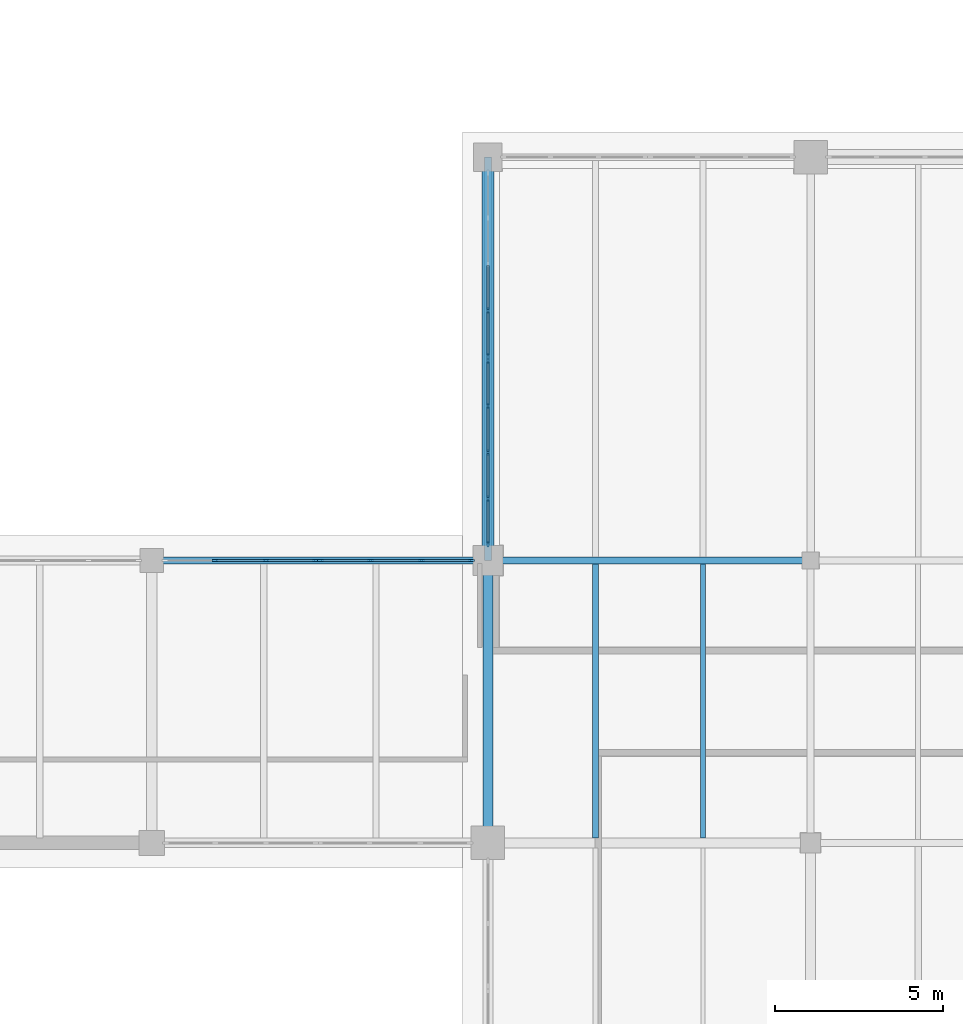
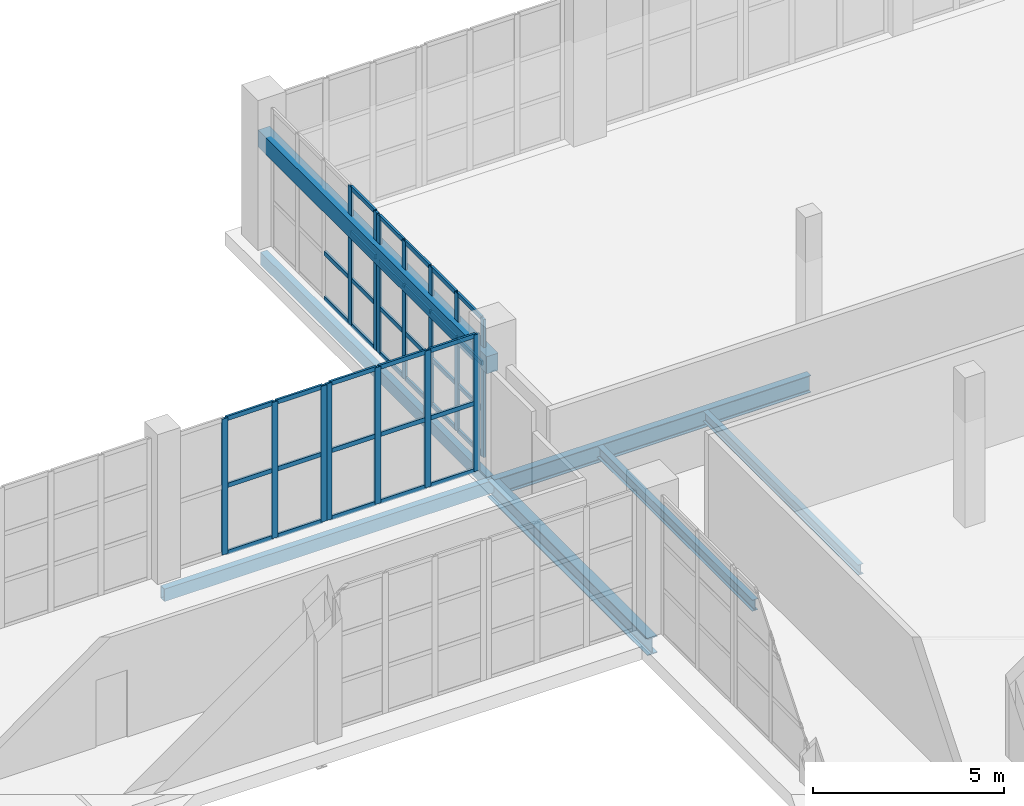
# One storey, part 22 of 121: 51 members, 7 beams, 4 elements without a shape of their own.
"""IFC4 building model written with IfcOpenShell, lengths in metres."""

from ifc_helpers import new_model, si_unit, direction, frame, origin, origin_2d, place, context, subcontext, project, spatial, rectangle, hollow_rectangle, i_section, extrude, material, layer, layer_set, material_profile, profile_set, type_object, element, aggregate, save


model = new_model("IFC4")

# Units and contexts
model_context = context("Model", 3, precision=1e-05, world=origin(), true_north=direction((0.0, 1.0)))
body_context = subcontext(model_context, "Body", "Model", "MODEL_VIEW")
ifc_project = project(units=[si_unit("LENGTHUNIT", "METRE"), si_unit("AREAUNIT", "SQUARE_METRE"), si_unit("VOLUMEUNIT", "CUBIC_METRE"), si_unit("PLANEANGLEUNIT", "RADIAN"), si_unit("MASSUNIT", "GRAM", prefix="KILO")], contexts=[model_context])

# Site, building, storey
site_placement = place(None, origin())
site = spatial("IfcSite", under=ifc_project, at=site_placement, CompositionType="ELEMENT")
building_placement = place(site_placement, origin())
building = spatial("IfcBuilding", under=site, at=building_placement, Name="Zereglee Splitstone Museum", CompositionType="ELEMENT")
storey_placement = place(building_placement, origin())
storey = spatial("IfcBuildingStorey", under=building, at=storey_placement, Name="L00", CompositionType="ELEMENT", Elevation=0.0)

# Curtain wall, members
ifc_material_1 = material(Name="Triple-glazed low-E argon glass and bronze-anodised aluminium", Category="aluminium")
ifc_layer_1 = layer(ifc_material_1, 0.179931640625)
ifc_layer_set_1 = layer_set([ifc_layer_1], Name="Triple-glazed low-E argon glass and bronze-anodised aluminium")
curtain_wall_type_1 = type_object("IfcCurtainWallType", Name="CW-0551-444", PredefinedType="USERDEFINED", material=ifc_layer_set_1)
curtain_wall_1_placement = place(storey_placement, origin())
curtain_wall_1 = element("IfcCurtainWall", 1, at=curtain_wall_1_placement, inside=storey, type_object=curtain_wall_type_1, Name="Glazed Curtain Wall CW-0551-444 (L00)", ObjectType="GLAZED CURTAIN WALL", PredefinedType="USERDEFINED")
ifc_material_2 = material(Name="Thermally broken bronze-anodised aluminium", Category="aluminium")
ifc_material_profile_1 = material_profile(ifc_material_2, rectangle(XDim=0.06494140625, YDim=0.179931640625, at=origin_2d()), Name="CW MULL 65x180")
ifc_profile_set_1 = profile_set([ifc_material_profile_1], Name="Thermally broken bronze-anodised aluminium")
member_type_1 = type_object("IfcMemberType", Name="CWM-01", PredefinedType="MULLION", material=ifc_profile_set_1)
member_1_placement = place(storey_placement, frame((78.0, 45.8310546875, 0.0), z_axis=(0.0, 0.0, 1.0), x_axis=(1.0, 0.0, 0.0)))
member_1 = element("IfcMember", 2, at=member_1_placement, type_object=member_type_1, Name="CW-0551-444 mullion 4", PredefinedType="MULLION", context=body_context, shape_type="SweptSolid", body=[
    extrude(rectangle(XDim=0.06494140625, YDim=0.179931640625, at=origin_2d()), origin(), (0.0, 0.0, 1.0), 4.43994140625),
])
member_2_placement = place(storey_placement, frame((78.0, 44.485107421875, 0.0), z_axis=(0.0, 0.0, 1.0), x_axis=(1.0, 0.0, 0.0)))
member_2 = element("IfcMember", 3, at=member_2_placement, type_object=member_type_1, Name="CW-0551-444 mullion 5", PredefinedType="MULLION", context=body_context, shape_type="SweptSolid", body=[
    extrude(rectangle(XDim=0.06494140625, YDim=0.179931640625, at=origin_2d()), origin(), (0.0, 0.0, 1.0), 4.43994140625),
])

ifc_layer_2 = layer(ifc_material_1, 0.179931640625)
ifc_layer_set_2 = layer_set([ifc_layer_2], Name="Triple-glazed low-E argon glass and bronze-anodised aluminium")
curtain_wall_type_2 = type_object("IfcCurtainWallType", Name="CW-0551-442", PredefinedType="USERDEFINED", material=ifc_layer_set_2)
curtain_wall_2_placement = place(storey_placement, origin())
curtain_wall_2 = element("IfcCurtainWall", 4, at=curtain_wall_2_placement, inside=storey, type_object=curtain_wall_type_2, Name="Glazed Curtain Wall CW-0551-442 (L00)", ObjectType="GLAZED CURTAIN WALL", PredefinedType="USERDEFINED")
member_3_placement = place(storey_placement, frame((78.0, 44.340087890625, 0.0), z_axis=(0.0, 0.0, 1.0), x_axis=(1.0, 0.0, 0.0)))
member_3 = element("IfcMember", 5, at=member_3_placement, type_object=member_type_1, Name="CW-0551-442 mullion 1", PredefinedType="MULLION", context=body_context, shape_type="SweptSolid", body=[
    extrude(rectangle(XDim=0.06494140625, YDim=0.179931640625, at=origin_2d()), origin(), (0.0, 0.0, 1.0), 4.419921875),
])
member_4_placement = place(storey_placement, frame((78.0, 42.993896484375, 0.0), z_axis=(0.0, 0.0, 1.0), x_axis=(1.0, 0.0, 0.0)))
member_4 = element("IfcMember", 6, at=member_4_placement, type_object=member_type_1, Name="CW-0551-442 mullion 2", PredefinedType="MULLION", context=body_context, shape_type="SweptSolid", body=[
    extrude(rectangle(XDim=0.06494140625, YDim=0.179931640625, at=origin_2d()), origin(), (0.0, 0.0, 1.0), 4.419921875),
])
member_5_placement = place(storey_placement, frame((78.0, 41.615234375, 0.0), z_axis=(0.0, 0.0, 1.0), x_axis=(1.0, 0.0, 0.0)))
member_5 = element("IfcMember", 7, at=member_5_placement, type_object=member_type_1, Name="CW-0551-442 mullion 3", PredefinedType="MULLION", context=body_context, shape_type="SweptSolid", body=[
    extrude(rectangle(XDim=0.06494140625, YDim=0.179931640625, at=origin_2d()), origin(), (0.0, 0.0, 1.0), 4.419921875),
])
member_6_placement = place(storey_placement, frame((78.0, 40.236572265625, 0.0), z_axis=(0.0, 0.0, 1.0), x_axis=(1.0, 0.0, 0.0)))
member_6 = element("IfcMember", 8, at=member_6_placement, type_object=member_type_1, Name="CW-0551-442 mullion 4", PredefinedType="MULLION", context=body_context, shape_type="SweptSolid", body=[
    extrude(rectangle(XDim=0.06494140625, YDim=0.179931640625, at=origin_2d()), origin(), (0.0, 0.0, 1.0), 4.419921875),
])
member_7_placement = place(storey_placement, frame((78.0, 38.890380859375, 0.0), z_axis=(0.0, 0.0, 1.0), x_axis=(1.0, 0.0, 0.0)))
member_7 = element("IfcMember", 9, at=member_7_placement, type_object=member_type_1, Name="CW-0551-442 mullion 5", PredefinedType="MULLION", context=body_context, shape_type="SweptSolid", body=[
    extrude(rectangle(XDim=0.06494140625, YDim=0.179931640625, at=origin_2d()), origin(), (0.0, 0.0, 1.0), 4.419921875),
])

ifc_layer_3 = layer(ifc_material_1, 0.179931640625)
ifc_layer_set_3 = layer_set([ifc_layer_3], Name="Triple-glazed low-E argon glass and bronze-anodised aluminium")
curtain_wall_type_3 = type_object("IfcCurtainWallType", Name="CW-0455-438", PredefinedType="USERDEFINED", material=ifc_layer_set_3)
curtain_wall_3_placement = place(storey_placement, origin())
curtain_wall_3 = element("IfcCurtainWall", 10, at=curtain_wall_3_placement, inside=storey, type_object=curtain_wall_type_3, Name="Glazed Curtain Wall CW-0455-438 (L00)", ObjectType="GLAZED CURTAIN WALL", PredefinedType="USERDEFINED")
member_8_placement = place(storey_placement, frame((77.509521484375, 38.39990234375, 0.0), z_axis=(0.0, 0.0, 1.0), x_axis=(0.0, -1.0, 0.0)))
member_8 = element("IfcMember", 11, at=member_8_placement, type_object=member_type_1, Name="CW-0455-438 mullion 1", PredefinedType="MULLION", context=body_context, shape_type="SweptSolid", body=[
    extrude(rectangle(XDim=0.06494140625, YDim=0.179931640625, at=origin_2d()), origin(), (0.0, 0.0, 1.0), 4.3798828125),
])
member_9_placement = place(storey_placement, frame((76.024658203125, 38.39990234375, 0.0), z_axis=(0.0, 0.0, 1.0), x_axis=(0.0, -1.0, 0.0)))
member_9 = element("IfcMember", 12, at=member_9_placement, type_object=member_type_1, Name="CW-0455-438 mullion 2", PredefinedType="MULLION", context=body_context, shape_type="SweptSolid", body=[
    extrude(rectangle(XDim=0.06494140625, YDim=0.179931640625, at=origin_2d()), origin(), (0.0, 0.0, 1.0), 4.3798828125),
])
member_10_placement = place(storey_placement, frame((74.50732421875, 38.39990234375, 0.0), z_axis=(0.0, 0.0, 1.0), x_axis=(0.0, -1.0, 0.0)))
member_10 = element("IfcMember", 13, at=member_10_placement, type_object=member_type_1, Name="CW-0455-438 mullion 3", PredefinedType="MULLION", context=body_context, shape_type="SweptSolid", body=[
    extrude(rectangle(XDim=0.06494140625, YDim=0.179931640625, at=origin_2d()), origin(), (0.0, 0.0, 1.0), 4.3798828125),
])
member_11_placement = place(storey_placement, frame((73.0224609375, 38.39990234375, 0.0), z_axis=(0.0, 0.0, 1.0), x_axis=(0.0, -1.0, 0.0)))
member_11 = element("IfcMember", 14, at=member_11_placement, type_object=member_type_1, Name="CW-0455-438 mullion 4", PredefinedType="MULLION", context=body_context, shape_type="SweptSolid", body=[
    extrude(rectangle(XDim=0.06494140625, YDim=0.179931640625, at=origin_2d()), origin(), (0.0, 0.0, 1.0), 4.3798828125),
])

ifc_layer_4 = layer(ifc_material_1, 0.179931640625)
ifc_layer_set_4 = layer_set([ifc_layer_4], Name="Triple-glazed low-E argon glass and bronze-anodised aluminium")
curtain_wall_type_4 = type_object("IfcCurtainWallType", Name="CW-0455-436", PredefinedType="USERDEFINED", material=ifc_layer_set_4)
curtain_wall_4_placement = place(storey_placement, origin())
curtain_wall_4 = element("IfcCurtainWall", 15, at=curtain_wall_4_placement, inside=storey, type_object=curtain_wall_type_4, Name="Glazed Curtain Wall CW-0455-436 (L00)", ObjectType="GLAZED CURTAIN WALL", PredefinedType="USERDEFINED")
member_12_placement = place(storey_placement, frame((72.87744140625, 38.39990234375, 0.0), z_axis=(0.0, 0.0, 1.0), x_axis=(0.0, -1.0, 0.0)))
member_12 = element("IfcMember", 16, at=member_12_placement, type_object=member_type_1, Name="CW-0455-436 mullion 1", PredefinedType="MULLION", context=body_context, shape_type="SweptSolid", body=[
    extrude(rectangle(XDim=0.06494140625, YDim=0.179931640625, at=origin_2d()), origin(), (0.0, 0.0, 1.0), 4.360107421875),
])
member_13_placement = place(storey_placement, frame((71.392578125, 38.39990234375, 0.0), z_axis=(0.0, 0.0, 1.0), x_axis=(0.0, -1.0, 0.0)))
member_13 = element("IfcMember", 17, at=member_13_placement, type_object=member_type_1, Name="CW-0455-436 mullion 2", PredefinedType="MULLION", context=body_context, shape_type="SweptSolid", body=[
    extrude(rectangle(XDim=0.06494140625, YDim=0.179931640625, at=origin_2d()), origin(), (0.0, 0.0, 1.0), 4.360107421875),
])
member_14_placement = place(storey_placement, frame((69.875244140625, 38.39990234375, 0.0), z_axis=(0.0, 0.0, 1.0), x_axis=(0.0, -1.0, 0.0)))
member_14 = element("IfcMember", 18, at=member_14_placement, type_object=member_type_1, Name="CW-0455-436 mullion 3", PredefinedType="MULLION", context=body_context, shape_type="SweptSolid", body=[
    extrude(rectangle(XDim=0.06494140625, YDim=0.179931640625, at=origin_2d()), origin(), (0.0, 0.0, 1.0), 4.360107421875),
])

# Member
ifc_material_profile_2 = material_profile(ifc_material_2, rectangle(XDim=0.06494140625, YDim=0.139892578125, at=origin_2d()), Name="CW TRAN 65x140")
ifc_profile_set_2 = profile_set([ifc_material_profile_2], Name="Thermally broken bronze-anodised aluminium")
member_type_2 = type_object("IfcMemberType", Name="CWT-01", PredefinedType="USERDEFINED", material=ifc_profile_set_2)
member_15_placement = place(storey_placement, frame((78.0, 47.17724609375, 0.032470703125), z_axis=(0.0, -1.0, 0.0), x_axis=(1.0, 0.0, 0.0)))
member_15 = element("IfcMember", 19, at=member_15_placement, type_object=member_type_2, Name="CW-0551-444 transom 3.1", ObjectType="TRANSOM", PredefinedType="USERDEFINED", context=body_context, shape_type="SweptSolid", body=[
    extrude(rectangle(XDim=0.06494140625, YDim=0.139892578125, at=origin_2d()), origin(), (0.0, 0.0, 1.0), 1.313720703125),
])

member_16_placement = place(storey_placement, frame((78.0, 47.17724609375, 1.47998046875), z_axis=(0.0, -1.0, 0.0), x_axis=(1.0, 0.0, 0.0)))
member_16 = element("IfcMember", 20, at=member_16_placement, type_object=member_type_2, Name="CW-0551-444 transom 3.2", ObjectType="TRANSOM", PredefinedType="USERDEFINED", context=body_context, shape_type="SweptSolid", body=[
    extrude(rectangle(XDim=0.06494140625, YDim=0.139892578125, at=origin_2d()), origin(), (0.0, 0.0, 1.0), 1.313720703125),
])

member_17_placement = place(storey_placement, frame((78.0, 45.798583984375, 0.032470703125), z_axis=(0.0, -1.0, 0.0), x_axis=(1.0, 0.0, 0.0)))
member_17 = element("IfcMember", 21, at=member_17_placement, type_object=member_type_2, Name="CW-0551-444 transom 4.1", ObjectType="TRANSOM", PredefinedType="USERDEFINED", context=body_context, shape_type="SweptSolid", body=[
    extrude(rectangle(XDim=0.06494140625, YDim=0.139892578125, at=origin_2d()), origin(), (0.0, 0.0, 1.0), 1.281005859375),
])

member_18_placement = place(storey_placement, frame((78.0, 45.798583984375, 1.47998046875), z_axis=(0.0, -1.0, 0.0), x_axis=(1.0, 0.0, 0.0)))
member_18 = element("IfcMember", 22, at=member_18_placement, type_object=member_type_2, Name="CW-0551-444 transom 4.2", ObjectType="TRANSOM", PredefinedType="USERDEFINED", context=body_context, shape_type="SweptSolid", body=[
    extrude(rectangle(XDim=0.06494140625, YDim=0.139892578125, at=origin_2d()), origin(), (0.0, 0.0, 1.0), 1.281005859375),
])

member_19_placement = place(storey_placement, frame((78.0, 45.798583984375, 2.9599609375), z_axis=(0.0, -1.0, 0.0), x_axis=(1.0, 0.0, 0.0)))
member_19 = element("IfcMember", 23, at=member_19_placement, type_object=member_type_2, Name="CW-0551-444 transom 4.3", ObjectType="TRANSOM", PredefinedType="USERDEFINED", context=body_context, shape_type="SweptSolid", body=[
    extrude(rectangle(XDim=0.06494140625, YDim=0.139892578125, at=origin_2d()), origin(), (0.0, 0.0, 1.0), 1.281005859375),
])

member_20_placement = place(storey_placement, frame((78.0, 45.798583984375, 4.407470703125), z_axis=(0.0, -1.0, 0.0), x_axis=(1.0, 0.0, 0.0)))
member_20 = element("IfcMember", 24, at=member_20_placement, type_object=member_type_2, Name="CW-0551-444 transom 4.4", ObjectType="TRANSOM", PredefinedType="USERDEFINED", context=body_context, shape_type="SweptSolid", body=[
    extrude(rectangle(XDim=0.06494140625, YDim=0.139892578125, at=origin_2d()), origin(), (0.0, 0.0, 1.0), 1.281005859375),
])

aggregate(curtain_wall_1, [member_1, member_2, member_15, member_16, member_17, member_18, member_19, member_20])

member_21_placement = place(storey_placement, frame((78.0, 44.3076171875, 0.032470703125), z_axis=(0.0, -1.0, 0.0), x_axis=(1.0, 0.0, 0.0)))
member_21 = element("IfcMember", 25, at=member_21_placement, type_object=member_type_2, Name="CW-0551-442 transom 1.1", ObjectType="TRANSOM", PredefinedType="USERDEFINED", context=body_context, shape_type="SweptSolid", body=[
    extrude(rectangle(XDim=0.06494140625, YDim=0.139892578125, at=origin_2d()), origin(), (0.0, 0.0, 1.0), 1.28125),
])

member_22_placement = place(storey_placement, frame((78.0, 44.3076171875, 1.473388671875), z_axis=(0.0, -1.0, 0.0), x_axis=(1.0, 0.0, 0.0)))
member_22 = element("IfcMember", 26, at=member_22_placement, type_object=member_type_2, Name="CW-0551-442 transom 1.2", ObjectType="TRANSOM", PredefinedType="USERDEFINED", context=body_context, shape_type="SweptSolid", body=[
    extrude(rectangle(XDim=0.06494140625, YDim=0.139892578125, at=origin_2d()), origin(), (0.0, 0.0, 1.0), 1.28125),
])

member_23_placement = place(storey_placement, frame((78.0, 44.3076171875, 2.94677734375), z_axis=(0.0, -1.0, 0.0), x_axis=(1.0, 0.0, 0.0)))
member_23 = element("IfcMember", 27, at=member_23_placement, type_object=member_type_2, Name="CW-0551-442 transom 1.3", ObjectType="TRANSOM", PredefinedType="USERDEFINED", context=body_context, shape_type="SweptSolid", body=[
    extrude(rectangle(XDim=0.06494140625, YDim=0.139892578125, at=origin_2d()), origin(), (0.0, 0.0, 1.0), 1.28125),
])

member_24_placement = place(storey_placement, frame((78.0, 44.3076171875, 4.387451171875), z_axis=(0.0, -1.0, 0.0), x_axis=(1.0, 0.0, 0.0)))
member_24 = element("IfcMember", 28, at=member_24_placement, type_object=member_type_2, Name="CW-0551-442 transom 1.4", ObjectType="TRANSOM", PredefinedType="USERDEFINED", context=body_context, shape_type="SweptSolid", body=[
    extrude(rectangle(XDim=0.06494140625, YDim=0.139892578125, at=origin_2d()), origin(), (0.0, 0.0, 1.0), 1.28125),
])

member_25_placement = place(storey_placement, frame((78.0, 42.96142578125, 0.032470703125), z_axis=(0.0, -1.0, 0.0), x_axis=(1.0, 0.0, 0.0)))
member_25 = element("IfcMember", 29, at=member_25_placement, type_object=member_type_2, Name="CW-0551-442 transom 2.1", ObjectType="TRANSOM", PredefinedType="USERDEFINED", context=body_context, shape_type="SweptSolid", body=[
    extrude(rectangle(XDim=0.06494140625, YDim=0.139892578125, at=origin_2d()), origin(), (0.0, 0.0, 1.0), 1.313720703125),
])

member_26_placement = place(storey_placement, frame((78.0, 42.96142578125, 1.473388671875), z_axis=(0.0, -1.0, 0.0), x_axis=(1.0, 0.0, 0.0)))
member_26 = element("IfcMember", 30, at=member_26_placement, type_object=member_type_2, Name="CW-0551-442 transom 2.2", ObjectType="TRANSOM", PredefinedType="USERDEFINED", context=body_context, shape_type="SweptSolid", body=[
    extrude(rectangle(XDim=0.06494140625, YDim=0.139892578125, at=origin_2d()), origin(), (0.0, 0.0, 1.0), 1.313720703125),
])

member_27_placement = place(storey_placement, frame((78.0, 42.96142578125, 2.94677734375), z_axis=(0.0, -1.0, 0.0), x_axis=(1.0, 0.0, 0.0)))
member_27 = element("IfcMember", 31, at=member_27_placement, type_object=member_type_2, Name="CW-0551-442 transom 2.3", ObjectType="TRANSOM", PredefinedType="USERDEFINED", context=body_context, shape_type="SweptSolid", body=[
    extrude(rectangle(XDim=0.06494140625, YDim=0.139892578125, at=origin_2d()), origin(), (0.0, 0.0, 1.0), 1.313720703125),
])

member_28_placement = place(storey_placement, frame((78.0, 42.96142578125, 4.387451171875), z_axis=(0.0, -1.0, 0.0), x_axis=(1.0, 0.0, 0.0)))
member_28 = element("IfcMember", 32, at=member_28_placement, type_object=member_type_2, Name="CW-0551-442 transom 2.4", ObjectType="TRANSOM", PredefinedType="USERDEFINED", context=body_context, shape_type="SweptSolid", body=[
    extrude(rectangle(XDim=0.06494140625, YDim=0.139892578125, at=origin_2d()), origin(), (0.0, 0.0, 1.0), 1.313720703125),
])

member_29_placement = place(storey_placement, frame((78.0, 41.582763671875, 0.032470703125), z_axis=(0.0, -1.0, 0.0), x_axis=(1.0, 0.0, 0.0)))
member_29 = element("IfcMember", 33, at=member_29_placement, type_object=member_type_2, Name="CW-0551-442 transom 3.1", ObjectType="TRANSOM", PredefinedType="USERDEFINED", context=body_context, shape_type="SweptSolid", body=[
    extrude(rectangle(XDim=0.06494140625, YDim=0.139892578125, at=origin_2d()), origin(), (0.0, 0.0, 1.0), 1.313720703125),
])

member_30_placement = place(storey_placement, frame((78.0, 41.582763671875, 1.473388671875), z_axis=(0.0, -1.0, 0.0), x_axis=(1.0, 0.0, 0.0)))
member_30 = element("IfcMember", 34, at=member_30_placement, type_object=member_type_2, Name="CW-0551-442 transom 3.2", ObjectType="TRANSOM", PredefinedType="USERDEFINED", context=body_context, shape_type="SweptSolid", body=[
    extrude(rectangle(XDim=0.06494140625, YDim=0.139892578125, at=origin_2d()), origin(), (0.0, 0.0, 1.0), 1.313720703125),
])

member_31_placement = place(storey_placement, frame((78.0, 41.582763671875, 2.94677734375), z_axis=(0.0, -1.0, 0.0), x_axis=(1.0, 0.0, 0.0)))
member_31 = element("IfcMember", 35, at=member_31_placement, type_object=member_type_2, Name="CW-0551-442 transom 3.3", ObjectType="TRANSOM", PredefinedType="USERDEFINED", context=body_context, shape_type="SweptSolid", body=[
    extrude(rectangle(XDim=0.06494140625, YDim=0.139892578125, at=origin_2d()), origin(), (0.0, 0.0, 1.0), 1.313720703125),
])

member_32_placement = place(storey_placement, frame((78.0, 41.582763671875, 4.387451171875), z_axis=(0.0, -1.0, 0.0), x_axis=(1.0, 0.0, 0.0)))
member_32 = element("IfcMember", 36, at=member_32_placement, type_object=member_type_2, Name="CW-0551-442 transom 3.4", ObjectType="TRANSOM", PredefinedType="USERDEFINED", context=body_context, shape_type="SweptSolid", body=[
    extrude(rectangle(XDim=0.06494140625, YDim=0.139892578125, at=origin_2d()), origin(), (0.0, 0.0, 1.0), 1.313720703125),
])

member_33_placement = place(storey_placement, frame((78.0, 40.2041015625, 0.032470703125), z_axis=(0.0, -1.0, 0.0), x_axis=(1.0, 0.0, 0.0)))
member_33 = element("IfcMember", 37, at=member_33_placement, type_object=member_type_2, Name="CW-0551-442 transom 4.1", ObjectType="TRANSOM", PredefinedType="USERDEFINED", context=body_context, shape_type="SweptSolid", body=[
    extrude(rectangle(XDim=0.06494140625, YDim=0.139892578125, at=origin_2d()), origin(), (0.0, 0.0, 1.0), 1.281005859375),
])

member_34_placement = place(storey_placement, frame((78.0, 40.2041015625, 1.473388671875), z_axis=(0.0, -1.0, 0.0), x_axis=(1.0, 0.0, 0.0)))
member_34 = element("IfcMember", 38, at=member_34_placement, type_object=member_type_2, Name="CW-0551-442 transom 4.2", ObjectType="TRANSOM", PredefinedType="USERDEFINED", context=body_context, shape_type="SweptSolid", body=[
    extrude(rectangle(XDim=0.06494140625, YDim=0.139892578125, at=origin_2d()), origin(), (0.0, 0.0, 1.0), 1.281005859375),
])

member_35_placement = place(storey_placement, frame((78.0, 40.2041015625, 2.94677734375), z_axis=(0.0, -1.0, 0.0), x_axis=(1.0, 0.0, 0.0)))
member_35 = element("IfcMember", 39, at=member_35_placement, type_object=member_type_2, Name="CW-0551-442 transom 4.3", ObjectType="TRANSOM", PredefinedType="USERDEFINED", context=body_context, shape_type="SweptSolid", body=[
    extrude(rectangle(XDim=0.06494140625, YDim=0.139892578125, at=origin_2d()), origin(), (0.0, 0.0, 1.0), 1.281005859375),
])

member_36_placement = place(storey_placement, frame((78.0, 40.2041015625, 4.387451171875), z_axis=(0.0, -1.0, 0.0), x_axis=(1.0, 0.0, 0.0)))
member_36 = element("IfcMember", 40, at=member_36_placement, type_object=member_type_2, Name="CW-0551-442 transom 4.4", ObjectType="TRANSOM", PredefinedType="USERDEFINED", context=body_context, shape_type="SweptSolid", body=[
    extrude(rectangle(XDim=0.06494140625, YDim=0.139892578125, at=origin_2d()), origin(), (0.0, 0.0, 1.0), 1.281005859375),
])

aggregate(curtain_wall_2, [member_3, member_4, member_5, member_6, member_7, member_21, member_22, member_23, member_24, member_25, member_26, member_27, member_28, member_29, member_30, member_31, member_32, member_33, member_34, member_35, member_36])

member_37_placement = place(storey_placement, frame((77.47705078125, 38.39990234375, 0.032470703125), z_axis=(-1.0, 0.0, 0.0), x_axis=(0.0, -1.0, 0.0)))
member_37 = element("IfcMember", 41, at=member_37_placement, type_object=member_type_2, Name="CW-0455-438 transom 1.1", ObjectType="TRANSOM", PredefinedType="USERDEFINED", context=body_context, shape_type="SweptSolid", body=[
    extrude(rectangle(XDim=0.06494140625, YDim=0.139892578125, at=origin_2d()), origin(), (0.0, 0.0, 1.0), 1.419921875),
])

member_38_placement = place(storey_placement, frame((77.47705078125, 38.39990234375, 2.18994140625), z_axis=(-1.0, 0.0, 0.0), x_axis=(0.0, -1.0, 0.0)))
member_38 = element("IfcMember", 42, at=member_38_placement, type_object=member_type_2, Name="CW-0455-438 transom 1.2", ObjectType="TRANSOM", PredefinedType="USERDEFINED", context=body_context, shape_type="SweptSolid", body=[
    extrude(rectangle(XDim=0.06494140625, YDim=0.139892578125, at=origin_2d()), origin(), (0.0, 0.0, 1.0), 1.419921875),
])

member_39_placement = place(storey_placement, frame((77.47705078125, 38.39990234375, 4.347412109375), z_axis=(-1.0, 0.0, 0.0), x_axis=(0.0, -1.0, 0.0)))
member_39 = element("IfcMember", 43, at=member_39_placement, type_object=member_type_2, Name="CW-0455-438 transom 1.3", ObjectType="TRANSOM", PredefinedType="USERDEFINED", context=body_context, shape_type="SweptSolid", body=[
    extrude(rectangle(XDim=0.06494140625, YDim=0.139892578125, at=origin_2d()), origin(), (0.0, 0.0, 1.0), 1.419921875),
])

member_40_placement = place(storey_placement, frame((75.9921875, 38.39990234375, 0.032470703125), z_axis=(-1.0, 0.0, 0.0), x_axis=(0.0, -1.0, 0.0)))
member_40 = element("IfcMember", 44, at=member_40_placement, type_object=member_type_2, Name="CW-0455-438 transom 2.1", ObjectType="TRANSOM", PredefinedType="USERDEFINED", context=body_context, shape_type="SweptSolid", body=[
    extrude(rectangle(XDim=0.06494140625, YDim=0.139892578125, at=origin_2d()), origin(), (0.0, 0.0, 1.0), 1.452392578125),
])

member_41_placement = place(storey_placement, frame((75.9921875, 38.39990234375, 2.18994140625), z_axis=(-1.0, 0.0, 0.0), x_axis=(0.0, -1.0, 0.0)))
member_41 = element("IfcMember", 45, at=member_41_placement, type_object=member_type_2, Name="CW-0455-438 transom 2.2", ObjectType="TRANSOM", PredefinedType="USERDEFINED", context=body_context, shape_type="SweptSolid", body=[
    extrude(rectangle(XDim=0.06494140625, YDim=0.139892578125, at=origin_2d()), origin(), (0.0, 0.0, 1.0), 1.452392578125),
])

member_42_placement = place(storey_placement, frame((75.9921875, 38.39990234375, 4.347412109375), z_axis=(-1.0, 0.0, 0.0), x_axis=(0.0, -1.0, 0.0)))
member_42 = element("IfcMember", 46, at=member_42_placement, type_object=member_type_2, Name="CW-0455-438 transom 2.3", ObjectType="TRANSOM", PredefinedType="USERDEFINED", context=body_context, shape_type="SweptSolid", body=[
    extrude(rectangle(XDim=0.06494140625, YDim=0.139892578125, at=origin_2d()), origin(), (0.0, 0.0, 1.0), 1.452392578125),
])

member_43_placement = place(storey_placement, frame((74.474853515625, 38.39990234375, 0.032470703125), z_axis=(-1.0, 0.0, 0.0), x_axis=(0.0, -1.0, 0.0)))
member_43 = element("IfcMember", 47, at=member_43_placement, type_object=member_type_2, Name="CW-0455-438 transom 3.1", ObjectType="TRANSOM", PredefinedType="USERDEFINED", context=body_context, shape_type="SweptSolid", body=[
    extrude(rectangle(XDim=0.06494140625, YDim=0.139892578125, at=origin_2d()), origin(), (0.0, 0.0, 1.0), 1.419921875),
])

member_44_placement = place(storey_placement, frame((74.474853515625, 38.39990234375, 2.18994140625), z_axis=(-1.0, 0.0, 0.0), x_axis=(0.0, -1.0, 0.0)))
member_44 = element("IfcMember", 48, at=member_44_placement, type_object=member_type_2, Name="CW-0455-438 transom 3.2", ObjectType="TRANSOM", PredefinedType="USERDEFINED", context=body_context, shape_type="SweptSolid", body=[
    extrude(rectangle(XDim=0.06494140625, YDim=0.139892578125, at=origin_2d()), origin(), (0.0, 0.0, 1.0), 1.419921875),
])

member_45_placement = place(storey_placement, frame((74.474853515625, 38.39990234375, 4.347412109375), z_axis=(-1.0, 0.0, 0.0), x_axis=(0.0, -1.0, 0.0)))
member_45 = element("IfcMember", 49, at=member_45_placement, type_object=member_type_2, Name="CW-0455-438 transom 3.3", ObjectType="TRANSOM", PredefinedType="USERDEFINED", context=body_context, shape_type="SweptSolid", body=[
    extrude(rectangle(XDim=0.06494140625, YDim=0.139892578125, at=origin_2d()), origin(), (0.0, 0.0, 1.0), 1.419921875),
])

aggregate(curtain_wall_3, [member_8, member_9, member_10, member_11, member_37, member_38, member_39, member_40, member_41, member_42, member_43, member_44, member_45])

member_46_placement = place(storey_placement, frame((72.844970703125, 38.39990234375, 0.032470703125), z_axis=(-1.0, 0.0, 0.0), x_axis=(0.0, -1.0, 0.0)))
member_46 = element("IfcMember", 50, at=member_46_placement, type_object=member_type_2, Name="CW-0455-436 transom 1.1", ObjectType="TRANSOM", PredefinedType="USERDEFINED", context=body_context, shape_type="SweptSolid", body=[
    extrude(rectangle(XDim=0.06494140625, YDim=0.139892578125, at=origin_2d()), origin(), (0.0, 0.0, 1.0), 1.419921875),
])

member_47_placement = place(storey_placement, frame((72.844970703125, 38.39990234375, 2.179931640625), z_axis=(-1.0, 0.0, 0.0), x_axis=(0.0, -1.0, 0.0)))
member_47 = element("IfcMember", 51, at=member_47_placement, type_object=member_type_2, Name="CW-0455-436 transom 1.2", ObjectType="TRANSOM", PredefinedType="USERDEFINED", context=body_context, shape_type="SweptSolid", body=[
    extrude(rectangle(XDim=0.06494140625, YDim=0.139892578125, at=origin_2d()), origin(), (0.0, 0.0, 1.0), 1.419921875),
])

member_48_placement = place(storey_placement, frame((72.844970703125, 38.39990234375, 4.327392578125), z_axis=(-1.0, 0.0, 0.0), x_axis=(0.0, -1.0, 0.0)))
member_48 = element("IfcMember", 52, at=member_48_placement, type_object=member_type_2, Name="CW-0455-436 transom 1.3", ObjectType="TRANSOM", PredefinedType="USERDEFINED", context=body_context, shape_type="SweptSolid", body=[
    extrude(rectangle(XDim=0.06494140625, YDim=0.139892578125, at=origin_2d()), origin(), (0.0, 0.0, 1.0), 1.419921875),
])

member_49_placement = place(storey_placement, frame((71.360107421875, 38.39990234375, 0.032470703125), z_axis=(-1.0, 0.0, 0.0), x_axis=(0.0, -1.0, 0.0)))
member_49 = element("IfcMember", 53, at=member_49_placement, type_object=member_type_2, Name="CW-0455-436 transom 2.1", ObjectType="TRANSOM", PredefinedType="USERDEFINED", context=body_context, shape_type="SweptSolid", body=[
    extrude(rectangle(XDim=0.06494140625, YDim=0.139892578125, at=origin_2d()), origin(), (0.0, 0.0, 1.0), 1.452392578125),
])

member_50_placement = place(storey_placement, frame((71.360107421875, 38.39990234375, 2.179931640625), z_axis=(-1.0, 0.0, 0.0), x_axis=(0.0, -1.0, 0.0)))
member_50 = element("IfcMember", 54, at=member_50_placement, type_object=member_type_2, Name="CW-0455-436 transom 2.2", ObjectType="TRANSOM", PredefinedType="USERDEFINED", context=body_context, shape_type="SweptSolid", body=[
    extrude(rectangle(XDim=0.06494140625, YDim=0.139892578125, at=origin_2d()), origin(), (0.0, 0.0, 1.0), 1.452392578125),
])

member_51_placement = place(storey_placement, frame((71.360107421875, 38.39990234375, 4.327392578125), z_axis=(-1.0, 0.0, 0.0), x_axis=(0.0, -1.0, 0.0)))
member_51 = element("IfcMember", 55, at=member_51_placement, type_object=member_type_2, Name="CW-0455-436 transom 2.3", ObjectType="TRANSOM", PredefinedType="USERDEFINED", context=body_context, shape_type="SweptSolid", body=[
    extrude(rectangle(XDim=0.06494140625, YDim=0.139892578125, at=origin_2d()), origin(), (0.0, 0.0, 1.0), 1.452392578125),
])

aggregate(curtain_wall_4, [member_12, member_13, member_14, member_46, member_47, member_48, member_49, member_50, member_51])

# Beams
ifc_material_3 = material(Name="Steel S355J2", Category="steel")
ifc_material_profile_3 = material_profile(ifc_material_3, i_section(OverallWidth=0.300048828125, OverallDepth=0.550048828125, WebThickness=0.014892578125, FlangeThickness=0.029052734375, FilletRadius=0.027099609375, at=origin_2d()), Name="HE 550 B")
ifc_profile_set_3 = profile_set([ifc_material_profile_3], Name="Steel S355J2")
beam_type_1 = type_object("IfcBeamType", Name="BG-11", PredefinedType="BEAM", material=ifc_profile_set_3)
beam_1_placement = place(storey_placement, frame((78.0, 30.0, -0.695068359375), z_axis=(0.0, 1.0, 0.0), x_axis=(-1.0, 0.0, 0.0)))
element("IfcBeam", 56, at=beam_1_placement, inside=storey, type_object=beam_type_1, Name="Primary Girder L00 10 (30.0-38.4)", PredefinedType="BEAM", context=body_context, shape_type="SweptSolid", body=[
    extrude(i_section(OverallWidth=0.300048828125, OverallDepth=0.550048828125, WebThickness=0.014892578125, FlangeThickness=0.029052734375, FilletRadius=0.027099609375, at=origin_2d()), origin(), (0.0, 0.0, 1.0), 8.39990234375),
])
ifc_material_profile_4 = material_profile(ifc_material_3, i_section(OverallWidth=0.2099609375, OverallDepth=0.550048828125, WebThickness=0.010986328125, FlangeThickness=0.01708984375, FilletRadius=0.02392578125, at=origin_2d()), Name="IPE 550")
ifc_profile_set_4 = profile_set([ifc_material_profile_4], Name="Steel S355J2")
beam_type_2 = type_object("IfcBeamType", Name="BG-16", PredefinedType="BEAM", material=ifc_profile_set_4)
beam_2_placement = place(storey_placement, frame((78.0, 38.39990234375, -0.695068359375), z_axis=(1.0, 0.0, 0.0), x_axis=(0.0, 1.0, 0.0)))
element("IfcBeam", 57, at=beam_2_placement, inside=storey, type_object=beam_type_2, Name="Primary Girder L00 E (78.0-87.6)", PredefinedType="BEAM", context=body_context, shape_type="SweptSolid", body=[
    extrude(i_section(OverallWidth=0.2099609375, OverallDepth=0.550048828125, WebThickness=0.010986328125, FlangeThickness=0.01708984375, FilletRadius=0.02392578125, at=origin_2d()), origin(), (0.0, 0.0, 1.0), 9.60009765625),
])
ifc_material_profile_5 = material_profile(ifc_material_3, i_section(OverallWidth=0.159912109375, OverallDepth=0.330078125, WebThickness=0.007568359375, FlangeThickness=0.011474609375, FilletRadius=0.01806640625, at=origin_2d()), Name="IPE 330")
ifc_profile_set_5 = profile_set([ifc_material_profile_5], Name="Steel S355J2")
beam_type_3 = type_object("IfcBeamType", Name="BJ-05", PredefinedType="JOIST", material=ifc_profile_set_5)
beam_3_placement = place(storey_placement, frame((84.39990234375, 30.14990234375, -0.5849609375), z_axis=(0.0, 1.0, 0.0), x_axis=(-1.0, 0.0, 0.0)))
element("IfcBeam", 58, at=beam_3_placement, inside=storey, type_object=beam_type_3, Name="Secondary Floor Joist L00-0354", PredefinedType="JOIST", context=body_context, shape_type="SweptSolid", body=[
    extrude(i_section(OverallWidth=0.159912109375, OverallDepth=0.330078125, WebThickness=0.007568359375, FlangeThickness=0.011474609375, FilletRadius=0.01806640625, at=origin_2d()), origin(), (0.0, 0.0, 1.0), 8.14501953125),
])
ifc_material_profile_6 = material_profile(ifc_material_3, i_section(OverallWidth=0.169921875, OverallDepth=0.360107421875, WebThickness=0.008056640625, FlangeThickness=0.0126953125, FilletRadius=0.01806640625, at=origin_2d()), Name="IPE 360")
ifc_profile_set_6 = profile_set([ifc_material_profile_6], Name="Steel S355J2")
beam_type_4 = type_object("IfcBeamType", Name="BJ-04", PredefinedType="JOIST", material=ifc_profile_set_6)
beam_4_placement = place(storey_placement, frame((81.199951171875, 30.14990234375, -0.60009765625), z_axis=(0.0, 1.0, 0.0), x_axis=(-1.0, 0.0, 0.0)))
element("IfcBeam", 59, at=beam_4_placement, inside=storey, type_object=beam_type_4, Name="Secondary Floor Joist L00-0353", PredefinedType="JOIST", context=body_context, shape_type="SweptSolid", body=[
    extrude(i_section(OverallWidth=0.169921875, OverallDepth=0.360107421875, WebThickness=0.008056640625, FlangeThickness=0.0126953125, FilletRadius=0.01806640625, at=origin_2d()), origin(), (0.0, 0.0, 1.0), 8.14501953125),
])
ifc_material_4 = material(Name="Precast concrete C40/50", Category="concrete")
ifc_material_profile_7 = material_profile(ifc_material_4, rectangle(XDim=0.35009765625, YDim=0.550048828125, at=origin_2d()), Name="RC 350x550")
ifc_profile_set_7 = profile_set([ifc_material_profile_7], Name="Precast concrete C40/50")
beam_type_5 = type_object("IfcBeamType", Name="LN-01", PredefinedType="LINTEL", material=ifc_profile_set_7)
beam_5_placement = place(storey_placement, frame((78.0, 38.39990234375, 3.25), z_axis=(0.0, 1.0, 0.0), x_axis=(-1.0, 0.0, 0.0)))
element("IfcBeam", 60, at=beam_5_placement, inside=storey, type_object=beam_type_5, Name="Pishtaq Portal Lintel LNT-06", PredefinedType="LINTEL", context=body_context, shape_type="SweptSolid", body=[
    extrude(rectangle(XDim=0.35009765625, YDim=0.550048828125, at=origin_2d()), origin(), (0.0, 0.0, 1.0), 12.0),
])
ifc_material_5 = material(Name="Steel S355J2H", Category="steel")
ifc_material_profile_8 = material_profile(ifc_material_5, hollow_rectangle(XDim=0.199951171875, YDim=0.39990234375, WallThickness=0.01611328125, at=origin_2d()), Name="RHS 400x200x16")
ifc_profile_set_8 = profile_set([ifc_material_profile_8], Name="Steel S355J2H")
beam_type_6 = type_object("IfcBeamType", Name="SP-04", PredefinedType="SPANDREL", material=ifc_profile_set_8)
beam_6_placement = place(storey_placement, frame((68.0, 38.39990234375, -0.6201171875), z_axis=(1.0, 0.0, 0.0), x_axis=(0.0, 1.0, 0.0)))
element("IfcBeam", 61, at=beam_6_placement, inside=storey, type_object=beam_type_6, Name="Primary Girder L00 E (68.0-78.0)", PredefinedType="SPANDREL", context=body_context, shape_type="SweptSolid", body=[
    extrude(hollow_rectangle(XDim=0.199951171875, YDim=0.39990234375, WallThickness=0.01611328125, at=origin_2d()), origin(), (0.0, 0.0, 1.0), 10.0),
])
beam_7_placement = place(storey_placement, frame((78.0, 38.39990234375, -0.6201171875), z_axis=(0.0, 1.0, 0.0), x_axis=(-1.0, 0.0, 0.0)))
element("IfcBeam", 62, at=beam_7_placement, inside=storey, type_object=beam_type_6, Name="Primary Girder L00 10 (38.4-50.4)", PredefinedType="SPANDREL", context=body_context, shape_type="SweptSolid", body=[
    extrude(hollow_rectangle(XDim=0.199951171875, YDim=0.39990234375, WallThickness=0.01611328125, at=origin_2d()), origin(), (0.0, 0.0, 1.0), 12.0),
])

save(model, "model.ifc")
